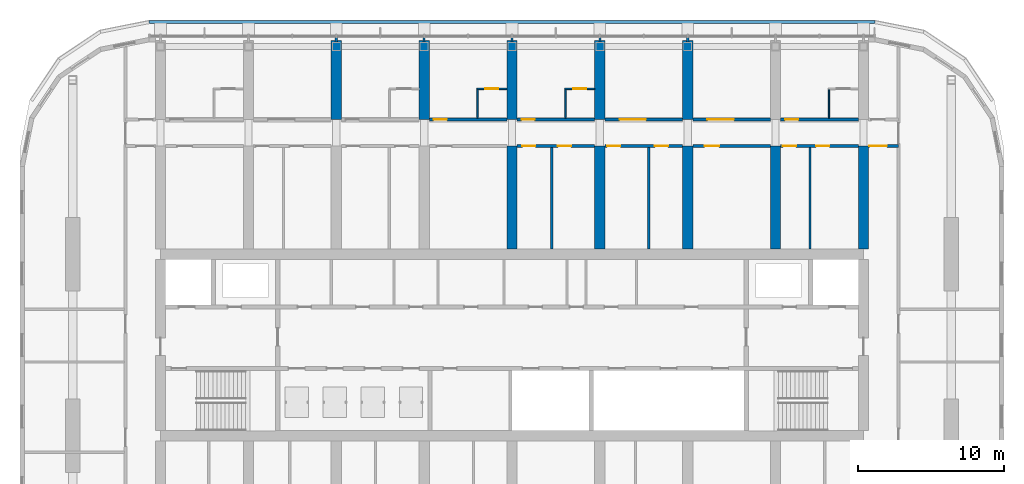
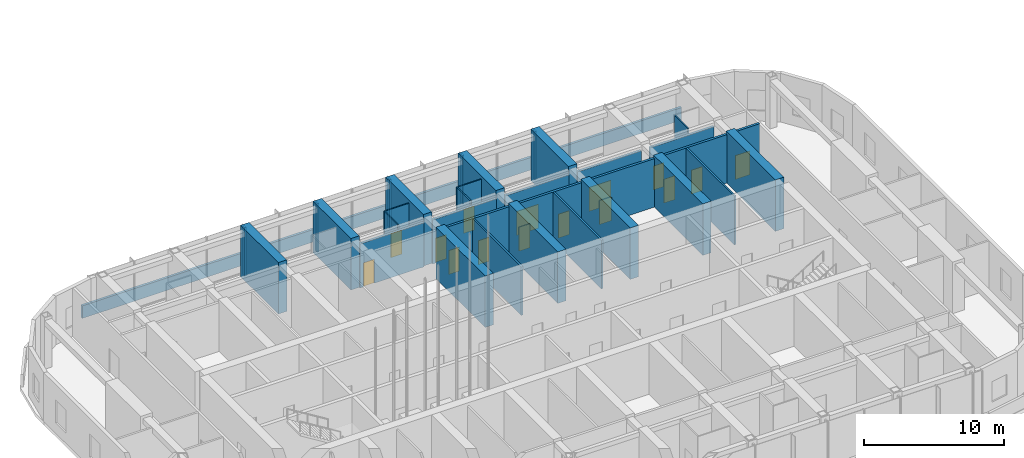
# One storey, part 20 of 35: 34 walls, 15 doors, 15 openings.
"""IFC4 building model written with IfcOpenShell, lengths in metres."""

from ifc_helpers import new_model, si_unit, direction, frame, frame_2d, origin, place, context, subcontext, project, spatial, polyline, rectangle, outline, extrude, material, layer, layer_set, type_object, element, fill, save


model = new_model("IFC4")

# Units and contexts
model_context = context("Model", 3, precision=1e-05, world=origin(), true_north=direction((0.0, 1.0)))
body_context = subcontext(model_context, "Body", "Model", "MODEL_VIEW")
ifc_project = project(units=[si_unit("LENGTHUNIT", "METRE"), si_unit("AREAUNIT", "SQUARE_METRE"), si_unit("VOLUMEUNIT", "CUBIC_METRE"), si_unit("PLANEANGLEUNIT", "RADIAN"), si_unit("MASSUNIT", "GRAM", prefix="KILO")], contexts=[model_context])

# Site, building, storey
site_placement = place(None, origin())
site = spatial("IfcSite", under=ifc_project, at=site_placement, CompositionType="ELEMENT")
building_placement = place(site_placement, origin())
building = spatial("IfcBuilding", under=site, at=building_placement, Name="Orbita Commons", CompositionType="ELEMENT")
storey_placement = place(building_placement, frame((0.0, 0.0, 208.300048828125)))
storey = spatial("IfcBuildingStorey", under=building, at=storey_placement, Name="L51", CompositionType="ELEMENT", Elevation=208.300048828125)

# Wall, opening, door
ifc_material_1 = material(Name="Concrete blockwork", Category="masonry")
ifc_layer_1 = layer(ifc_material_1, 0.199951171875)
ifc_layer_set_1 = layer_set([ifc_layer_1], Name="Concrete blockwork")
wall_type_1 = type_object("IfcWallType", Name="Corridor wall 200 blockwork", PredefinedType="SOLIDWALL", material=ifc_layer_set_1)
wall_1_placement = place(storey_placement, frame((36.35009765625, 47.39990234375, 0.0), z_axis=(0.0, 0.0, 1.0), x_axis=(1.0, 0.0, 0.0)))
wall_1 = element("IfcWall", 1, at=wall_1_placement, inside=storey, type_object=wall_type_1, Name="Corridor wall 200 blockwork L51", PredefinedType="SOLIDWALL", context=body_context, shape_type="SweptSolid", body=[
    extrude(outline(polyline([(0.0, 0.0), (5.2998046875, 0.0), (5.300048828125, 3.849853515625), (0.0, 3.849853515625), (0.0, 0.0)])), frame((0.0, 0.10009765625, 0.0), z_axis=(0.0, -1.0, 0.0), x_axis=(1.0, 0.0, 0.0)), (0.0, 0.0, 1.0), 0.199951171875),
])
opening_1_placement = place(wall_1_placement, frame((0.300048828125, 0.0, 0.0)))
opening_1 = element("IfcOpeningElement", 2, at=opening_1_placement, cuts=wall_1, Name="Opening D11", PredefinedType="OPENING", context=body_context, shape_type="SweptSolid", body=[
    extrude(rectangle(XDim=0.89990234375, YDim=2.10009765625, at=frame_2d((0.449951171875, 1.050048828125))), frame((0.0, 0.10986328125, 0.0), z_axis=(0.0, -1.0, 0.0), x_axis=(1.0, 0.0, 0.0)), (0.0, 0.0, 1.0), 0.219970703125),
])
ifc_material_2 = material(Name="Steel-faced fire door leaf", Category="steel")
door_type_1 = type_object("IfcDoorType", Name="Corridor door 20 min 900x2100", OperationType="SINGLE_SWING_LEFT", PredefinedType="DOOR", material=ifc_material_2)
door_1_placement = place(opening_1_placement, origin())
door_1 = element("IfcDoor", 3, at=door_1_placement, inside=storey, type_object=door_type_1, Name="Guest studio with kitchenette L51-NF4 door", OperationType="SINGLE_SWING_LEFT", OverallHeight=2.10009765625, OverallWidth=0.89990234375, PredefinedType="DOOR", context=body_context, shape_type="SweptSolid", body=[
    extrude(rectangle(XDim=0.89990234375, YDim=2.10009765625, at=frame_2d((0.449951171875, 1.050048828125))), frame((0.0, 0.02490234375, 0.0), z_axis=(0.0, -1.0, 0.0), x_axis=(1.0, 0.0, 0.0)), (0.0, 0.0, 1.0), 0.050048828125),
])
fill(opening_1, door_1)

wall_2_placement = place(storey_placement, frame((42.35009765625, 47.39990234375, 0.0), z_axis=(0.0, 0.0, 1.0), x_axis=(1.0, 0.0, 0.0)))
wall_2 = element("IfcWall", 4, at=wall_2_placement, inside=storey, type_object=wall_type_1, Name="Corridor wall 200 blockwork L51", PredefinedType="SOLIDWALL", context=body_context, shape_type="SweptSolid", body=[
    extrude(outline(polyline([(0.0, 0.0), (5.2998046875, 0.0), (5.300048828125, 3.849853515625), (0.0, 3.849853515625), (0.0, 0.0)])), frame((0.0, 0.10009765625, 0.0), z_axis=(0.0, -1.0, 0.0), x_axis=(1.0, 0.0, 0.0)), (0.0, 0.0, 1.0), 0.199951171875),
])
opening_2_placement = place(wall_2_placement, frame((0.300048828125, 0.0, 0.0)))
opening_2 = element("IfcOpeningElement", 5, at=opening_2_placement, cuts=wall_2, Name="Opening D11", PredefinedType="OPENING", context=body_context, shape_type="SweptSolid", body=[
    extrude(rectangle(XDim=0.89990234375, YDim=2.10009765625, at=frame_2d((0.449951171875, 1.050048828125))), frame((0.0, 0.10986328125, 0.0), z_axis=(0.0, -1.0, 0.0), x_axis=(1.0, 0.0, 0.0)), (0.0, 0.0, 1.0), 0.219970703125),
])
door_2_placement = place(opening_2_placement, origin())
door_2 = element("IfcDoor", 6, at=door_2_placement, inside=storey, type_object=door_type_1, Name="Guest studio with kitchenette L51-NF5 door", OperationType="SINGLE_SWING_LEFT", OverallHeight=2.10009765625, OverallWidth=0.89990234375, PredefinedType="DOOR", context=body_context, shape_type="SweptSolid", body=[
    extrude(rectangle(XDim=0.89990234375, YDim=2.10009765625, at=frame_2d((0.449951171875, 1.050048828125))), frame((0.0, 0.02490234375, 0.0), z_axis=(0.0, -1.0, 0.0), x_axis=(1.0, 0.0, 0.0)), (0.0, 0.0, 1.0), 0.050048828125),
])
fill(opening_2, door_2)

wall_3_placement = place(storey_placement, frame((48.35009765625, 47.39990234375, 0.0), z_axis=(0.0, 0.0, 1.0), x_axis=(1.0, 0.0, 0.0)))
wall_3 = element("IfcWall", 7, at=wall_3_placement, inside=storey, type_object=wall_type_1, Name="Corridor wall 200 blockwork L51", PredefinedType="SOLIDWALL", context=body_context, shape_type="SweptSolid", body=[
    extrude(outline(polyline([(0.0, 0.0), (5.2998046875, 0.0), (5.300048828125, 3.849853515625), (0.0, 3.849853515625), (0.0, 0.0)])), frame((0.0, 0.10009765625, 0.0), z_axis=(0.0, -1.0, 0.0), x_axis=(1.0, 0.0, 0.0)), (0.0, 0.0, 1.0), 0.199951171875),
])
opening_3_placement = place(wall_3_placement, frame((1.0, 0.0, 0.0)))
opening_3 = element("IfcOpeningElement", 8, at=opening_3_placement, cuts=wall_3, Name="Opening D07", PredefinedType="OPENING", context=body_context, shape_type="SweptSolid", body=[
    extrude(rectangle(XDim=1.800048828125, YDim=2.10009765625, at=frame_2d((0.89990234375, 1.050048828125))), frame((0.0, 0.10986328125, 0.0), z_axis=(0.0, -1.0, 0.0), x_axis=(1.0, 0.0, 0.0)), (0.0, 0.0, 1.0), 0.219970703125),
])
ifc_material_3 = material(Name="Steel-faced fire door leaf", Category="steel")
door_type_2 = type_object("IfcDoorType", Name="Double corridor door 20 min 1800x2100", OperationType="DOUBLE_DOOR_SINGLE_SWING", PredefinedType="DOOR", material=ifc_material_3)
door_3_placement = place(opening_3_placement, origin())
door_3 = element("IfcDoor", 9, at=door_3_placement, inside=storey, type_object=door_type_2, Name="Guest reception office L51-NF6 doors", OperationType="DOUBLE_DOOR_SINGLE_SWING", OverallHeight=2.10009765625, OverallWidth=1.800048828125, PredefinedType="DOOR", context=body_context, shape_type="SweptSolid", body=[
    extrude(rectangle(XDim=1.800048828125, YDim=2.10009765625, at=frame_2d((0.89990234375, 1.050048828125))), frame((0.0, 0.02490234375, 0.0), z_axis=(0.0, -1.0, 0.0), x_axis=(1.0, 0.0, 0.0)), (0.0, 0.0, 1.0), 0.050048828125),
])
fill(opening_3, door_3)

wall_4_placement = place(storey_placement, frame((54.35009765625, 47.39990234375, 0.0), z_axis=(0.0, 0.0, 1.0), x_axis=(1.0, 0.0, 0.0)))
wall_4 = element("IfcWall", 10, at=wall_4_placement, inside=storey, type_object=wall_type_1, Name="Corridor wall 200 blockwork L51", PredefinedType="SOLIDWALL", context=body_context, shape_type="SweptSolid", body=[
    extrude(outline(polyline([(0.0, 0.0), (5.2998046875, 0.0), (5.300048828125, 3.849853515625), (0.0, 3.849853515625), (0.0, 0.0)])), frame((0.0, 0.10009765625, 0.0), z_axis=(0.0, -1.0, 0.0), x_axis=(1.0, 0.0, 0.0)), (0.0, 0.0, 1.0), 0.199951171875),
])
opening_4_placement = place(wall_4_placement, frame((1.0, 0.0, 0.0)))
opening_4 = element("IfcOpeningElement", 11, at=opening_4_placement, cuts=wall_4, Name="Opening D07", PredefinedType="OPENING", context=body_context, shape_type="SweptSolid", body=[
    extrude(rectangle(XDim=1.800048828125, YDim=2.10009765625, at=frame_2d((0.89990234375, 1.050048828125))), frame((0.0, 0.10986328125, 0.0), z_axis=(0.0, -1.0, 0.0), x_axis=(1.0, 0.0, 0.0)), (0.0, 0.0, 1.0), 0.219970703125),
])
door_4_placement = place(opening_4_placement, origin())
door_4 = element("IfcDoor", 12, at=door_4_placement, inside=storey, type_object=door_type_2, Name="Fitness studio L51-NF7 doors", OperationType="DOUBLE_DOOR_SINGLE_SWING", OverallHeight=2.10009765625, OverallWidth=1.800048828125, PredefinedType="DOOR", context=body_context, shape_type="SweptSolid", body=[
    extrude(rectangle(XDim=1.800048828125, YDim=2.10009765625, at=frame_2d((0.89990234375, 1.050048828125))), frame((0.0, 0.02490234375, 0.0), z_axis=(0.0, -1.0, 0.0), x_axis=(1.0, 0.0, 0.0)), (0.0, 0.0, 1.0), 0.050048828125),
])
fill(opening_4, door_4)

wall_5_placement = place(storey_placement, frame((60.35009765625, 47.39990234375, 0.0), z_axis=(0.0, 0.0, 1.0), x_axis=(1.0, 0.0, 0.0)))
wall_5 = element("IfcWall", 13, at=wall_5_placement, inside=storey, type_object=wall_type_1, Name="Corridor wall 200 blockwork L51", PredefinedType="SOLIDWALL", context=body_context, shape_type="SweptSolid", body=[
    extrude(outline(polyline([(0.0, 0.0), (5.2998046875, 0.0), (5.300048828125, 3.849853515625), (0.0, 3.849853515625), (0.0, 0.0)])), frame((0.0, 0.10009765625, 0.0), z_axis=(0.0, -1.0, 0.0), x_axis=(1.0, 0.0, 0.0)), (0.0, 0.0, 1.0), 0.199951171875),
])
opening_5_placement = place(wall_5_placement, frame((0.300048828125, 0.0, 0.0)))
opening_5 = element("IfcOpeningElement", 14, at=opening_5_placement, cuts=wall_5, Name="Opening D11", PredefinedType="OPENING", context=body_context, shape_type="SweptSolid", body=[
    extrude(rectangle(XDim=0.89990234375, YDim=2.10009765625, at=frame_2d((0.449951171875, 1.050048828125))), frame((0.0, 0.10986328125, 0.0), z_axis=(0.0, -1.0, 0.0), x_axis=(1.0, 0.0, 0.0)), (0.0, 0.0, 1.0), 0.219970703125),
])
door_5_placement = place(opening_5_placement, origin())
door_5 = element("IfcDoor", 15, at=door_5_placement, inside=storey, type_object=door_type_1, Name="Guest studio with kitchenette L51-NF8 door", OperationType="SINGLE_SWING_LEFT", OverallHeight=2.10009765625, OverallWidth=0.89990234375, PredefinedType="DOOR", context=body_context, shape_type="SweptSolid", body=[
    extrude(rectangle(XDim=0.89990234375, YDim=2.10009765625, at=frame_2d((0.449951171875, 1.050048828125))), frame((0.0, 0.02490234375, 0.0), z_axis=(0.0, -1.0, 0.0), x_axis=(1.0, 0.0, 0.0)), (0.0, 0.0, 1.0), 0.050048828125),
])
fill(opening_5, door_5)

# Wall, openings, doors
ifc_material_4 = material(Name="Hollow concrete block 200", Category="concrete")
ifc_layer_2 = layer(ifc_material_4, 0.199951171875)
ifc_layer_set_2 = layer_set([ifc_layer_2], Name="Hollow concrete block 200")
wall_type_2 = type_object("IfcWallType", Name="Corridor wall 200 hollow concrete block", PredefinedType="SOLIDWALL", material=ifc_layer_set_2)
wall_6_placement = place(storey_placement, frame((42.35009765625, 45.60009765625, 0.0), z_axis=(0.0, 0.0, 1.0), x_axis=(1.0, 0.0, 0.0)))
wall_6 = element("IfcWall", 16, at=wall_6_placement, inside=storey, type_object=wall_type_2, Name="Corridor wall 200 hollow concrete block L51", PredefinedType="SOLIDWALL", context=body_context, shape_type="SweptSolid", body=[
    extrude(rectangle(XDim=5.2998046875, YDim=0.199951171875, at=frame_2d((2.64990234375, 0.0))), origin(), (0.0, 0.0, 1.0), 4.25),
])
opening_6_placement = place(wall_6_placement, frame((0.35009765625, 0.0, 0.0)))
opening_6 = element("IfcOpeningElement", 17, at=opening_6_placement, cuts=wall_6, Name="Opening D11", PredefinedType="OPENING", context=body_context, shape_type="SweptSolid", body=[
    extrude(rectangle(XDim=0.89990234375, YDim=2.10009765625, at=frame_2d((0.449951171875, 1.050048828125))), frame((0.0, 0.10986328125, 0.0), z_axis=(0.0, -1.0, 0.0), x_axis=(1.0, 0.0, 0.0)), (0.0, 0.0, 1.0), 0.219970703125),
])
opening_7_placement = place(wall_6_placement, frame((2.784912109375, 0.0, 0.0)))
opening_7 = element("IfcOpeningElement", 18, at=opening_7_placement, cuts=wall_6, Name="Opening D11", PredefinedType="OPENING", context=body_context, shape_type="SweptSolid", body=[
    extrude(rectangle(XDim=0.89990234375, YDim=2.10009765625, at=frame_2d((0.449951171875, 1.050048828125))), frame((0.0, 0.10986328125, 0.0), z_axis=(0.0, -1.0, 0.0), x_axis=(1.0, 0.0, 0.0)), (0.0, 0.0, 1.0), 0.219970703125),
])
door_6_placement = place(opening_6_placement, origin())
door_6 = element("IfcDoor", 19, at=door_6_placement, inside=storey, type_object=door_type_1, Name="Water heater cupboard L51-BDN42n door", OperationType="SINGLE_SWING_LEFT", OverallHeight=2.10009765625, OverallWidth=0.89990234375, PredefinedType="DOOR", context=body_context, shape_type="SweptSolid", body=[
    extrude(rectangle(XDim=0.89990234375, YDim=2.10009765625, at=frame_2d((0.449951171875, 1.050048828125))), frame((0.0, 0.02490234375, 0.0), z_axis=(0.0, -1.0, 0.0), x_axis=(1.0, 0.0, 0.0)), (0.0, 0.0, 1.0), 0.050048828125),
])
fill(opening_6, door_6)
door_7_placement = place(opening_7_placement, origin())
door_7 = element("IfcDoor", 20, at=door_7_placement, inside=storey, type_object=door_type_1, Name="Telecoms room L51-BDN42 door", OperationType="SINGLE_SWING_LEFT", OverallHeight=2.10009765625, OverallWidth=0.89990234375, PredefinedType="DOOR", context=body_context, shape_type="SweptSolid", body=[
    extrude(rectangle(XDim=0.89990234375, YDim=2.10009765625, at=frame_2d((0.449951171875, 1.050048828125))), frame((0.0, 0.02490234375, 0.0), z_axis=(0.0, -1.0, 0.0), x_axis=(1.0, 0.0, 0.0)), (0.0, 0.0, 1.0), 0.050048828125),
])
fill(opening_7, door_7)

wall_7_placement = place(storey_placement, frame((48.35009765625, 45.60009765625, 0.0), z_axis=(0.0, 0.0, 1.0), x_axis=(1.0, 0.0, 0.0)))
wall_7 = element("IfcWall", 21, at=wall_7_placement, inside=storey, type_object=wall_type_2, Name="Corridor wall 200 hollow concrete block L51", PredefinedType="SOLIDWALL", context=body_context, shape_type="SweptSolid", body=[
    extrude(rectangle(XDim=5.2998046875, YDim=0.199951171875, at=frame_2d((2.64990234375, 0.0))), origin(), (0.0, 0.0, 1.0), 4.25),
])
opening_8_placement = place(wall_7_placement, frame((0.14990234375, 0.0, 0.0)))
opening_8 = element("IfcOpeningElement", 22, at=opening_8_placement, cuts=wall_7, Name="Opening D11", PredefinedType="OPENING", context=body_context, shape_type="SweptSolid", body=[
    extrude(rectangle(XDim=0.89990234375, YDim=2.10009765625, at=frame_2d((0.449951171875, 1.050048828125))), frame((0.0, 0.10986328125, 0.0), z_axis=(0.0, -1.0, 0.0), x_axis=(1.0, 0.0, 0.0)), (0.0, 0.0, 1.0), 0.219970703125),
])
opening_9_placement = place(wall_7_placement, frame((3.4150390625, 0.0, 0.0)))
opening_9 = element("IfcOpeningElement", 23, at=opening_9_placement, cuts=wall_7, Name="Opening D11", PredefinedType="OPENING", context=body_context, shape_type="SweptSolid", body=[
    extrude(rectangle(XDim=0.89990234375, YDim=2.10009765625, at=frame_2d((0.449951171875, 1.050048828125))), frame((0.0, 0.10986328125, 0.0), z_axis=(0.0, -1.0, 0.0), x_axis=(1.0, 0.0, 0.0)), (0.0, 0.0, 1.0), 0.219970703125),
])
door_8_placement = place(opening_8_placement, origin())
door_8 = element("IfcDoor", 24, at=door_8_placement, inside=storey, type_object=door_type_1, Name="Concierge store L51-BDN48 door", OperationType="SINGLE_SWING_LEFT", OverallHeight=2.10009765625, OverallWidth=0.89990234375, PredefinedType="DOOR", context=body_context, shape_type="SweptSolid", body=[
    extrude(rectangle(XDim=0.89990234375, YDim=2.10009765625, at=frame_2d((0.449951171875, 1.050048828125))), frame((0.0, 0.02490234375, 0.0), z_axis=(0.0, -1.0, 0.0), x_axis=(1.0, 0.0, 0.0)), (0.0, 0.0, 1.0), 0.050048828125),
])
fill(opening_8, door_8)
door_9_placement = place(opening_9_placement, origin())
door_9 = element("IfcDoor", 25, at=door_9_placement, inside=storey, type_object=door_type_1, Name="Battery and UPS room L51-BDN48n door", OperationType="SINGLE_SWING_LEFT", OverallHeight=2.10009765625, OverallWidth=0.89990234375, PredefinedType="DOOR", context=body_context, shape_type="SweptSolid", body=[
    extrude(rectangle(XDim=0.89990234375, YDim=2.10009765625, at=frame_2d((0.449951171875, 1.050048828125))), frame((0.0, 0.02490234375, 0.0), z_axis=(0.0, -1.0, 0.0), x_axis=(1.0, 0.0, 0.0)), (0.0, 0.0, 1.0), 0.050048828125),
])
fill(opening_9, door_9)

# Wall, opening, door
wall_8_placement = place(storey_placement, frame((54.35009765625, 45.60009765625, 0.0), z_axis=(0.0, 0.0, 1.0), x_axis=(1.0, 0.0, 0.0)))
wall_8 = element("IfcWall", 26, at=wall_8_placement, inside=storey, type_object=wall_type_2, Name="Corridor wall 200 hollow concrete block L51", PredefinedType="SOLIDWALL", context=body_context, shape_type="SweptSolid", body=[
    extrude(rectangle(XDim=5.2998046875, YDim=0.199951171875, at=frame_2d((2.64990234375, 0.0))), origin(), (0.0, 0.0, 1.0), 4.25),
])
opening_10_placement = place(wall_8_placement, frame((0.800048828125, 0.0, 0.0)))
opening_10 = element("IfcOpeningElement", 27, at=opening_10_placement, cuts=wall_8, Name="Opening D06", PredefinedType="OPENING", context=body_context, shape_type="SweptSolid", body=[
    extrude(rectangle(XDim=1.0, YDim=2.10009765625, at=frame_2d((0.5, 1.050048828125))), frame((0.0, 0.10986328125, 0.0), z_axis=(0.0, -1.0, 0.0), x_axis=(1.0, 0.0, 0.0)), (0.0, 0.0, 1.0), 0.219970703125),
])
ifc_material_5 = material(Name="Steel-faced fire door leaf", Category="steel")
door_type_3 = type_object("IfcDoorType", Name="Corridor door 20 min 1000x2100", OperationType="SINGLE_SWING_LEFT", PredefinedType="DOOR", material=ifc_material_5)
door_10_placement = place(opening_10_placement, origin())
door_10 = element("IfcDoor", 28, at=door_10_placement, inside=storey, type_object=door_type_3, Name="Store L51-BDN54 door", OperationType="SINGLE_SWING_LEFT", OverallHeight=2.10009765625, OverallWidth=1.0, PredefinedType="DOOR", context=body_context, shape_type="SweptSolid", body=[
    extrude(rectangle(XDim=1.0, YDim=2.10009765625, at=frame_2d((0.5, 1.050048828125))), frame((0.0, 0.02490234375, 0.0), z_axis=(0.0, -1.0, 0.0), x_axis=(1.0, 0.0, 0.0)), (0.0, 0.0, 1.0), 0.050048828125),
])
fill(opening_10, door_10)

# Wall, openings, doors
wall_9_placement = place(storey_placement, frame((60.35009765625, 45.60009765625, 0.0), z_axis=(0.0, 0.0, 1.0), x_axis=(1.0, 0.0, 0.0)))
wall_9 = element("IfcWall", 29, at=wall_9_placement, inside=storey, type_object=wall_type_2, Name="Corridor wall 200 hollow concrete block L51", PredefinedType="SOLIDWALL", context=body_context, shape_type="SweptSolid", body=[
    extrude(rectangle(XDim=5.2998046875, YDim=0.199951171875, at=frame_2d((2.64990234375, 0.0))), origin(), (0.0, 0.0, 1.0), 4.25),
])
opening_11_placement = place(wall_9_placement, frame((0.14990234375, 0.0, 0.0)))
opening_11 = element("IfcOpeningElement", 30, at=opening_11_placement, cuts=wall_9, Name="Opening D11", PredefinedType="OPENING", context=body_context, shape_type="SweptSolid", body=[
    extrude(rectangle(XDim=0.89990234375, YDim=2.10009765625, at=frame_2d((0.449951171875, 1.050048828125))), frame((0.0, 0.10986328125, 0.0), z_axis=(0.0, -1.0, 0.0), x_axis=(1.0, 0.0, 0.0)), (0.0, 0.0, 1.0), 0.219970703125),
])
opening_12_placement = place(wall_9_placement, frame((2.419921875, 0.0, 0.0)))
opening_12 = element("IfcOpeningElement", 31, at=opening_12_placement, cuts=wall_9, Name="Opening D11", PredefinedType="OPENING", context=body_context, shape_type="SweptSolid", body=[
    extrude(rectangle(XDim=0.89990234375, YDim=2.10009765625, at=frame_2d((0.449951171875, 1.050048828125))), frame((0.0, 0.10986328125, 0.0), z_axis=(0.0, -1.0, 0.0), x_axis=(1.0, 0.0, 0.0)), (0.0, 0.0, 1.0), 0.219970703125),
])
door_11_placement = place(opening_11_placement, origin())
door_11 = element("IfcDoor", 32, at=door_11_placement, inside=storey, type_object=door_type_1, Name="Sprinkler valve room L51-BDN60n door", OperationType="SINGLE_SWING_LEFT", OverallHeight=2.10009765625, OverallWidth=0.89990234375, PredefinedType="DOOR", context=body_context, shape_type="SweptSolid", body=[
    extrude(rectangle(XDim=0.89990234375, YDim=2.10009765625, at=frame_2d((0.449951171875, 1.050048828125))), frame((0.0, 0.02490234375, 0.0), z_axis=(0.0, -1.0, 0.0), x_axis=(1.0, 0.0, 0.0)), (0.0, 0.0, 1.0), 0.050048828125),
])
fill(opening_11, door_11)
door_12_placement = place(opening_12_placement, origin())
door_12 = element("IfcDoor", 33, at=door_12_placement, inside=storey, type_object=door_type_1, Name="Equipment store L51-BDN60 door", OperationType="SINGLE_SWING_LEFT", OverallHeight=2.10009765625, OverallWidth=0.89990234375, PredefinedType="DOOR", context=body_context, shape_type="SweptSolid", body=[
    extrude(rectangle(XDim=0.89990234375, YDim=2.10009765625, at=frame_2d((0.449951171875, 1.050048828125))), frame((0.0, 0.02490234375, 0.0), z_axis=(0.0, -1.0, 0.0), x_axis=(1.0, 0.0, 0.0)), (0.0, 0.0, 1.0), 0.050048828125),
])
fill(opening_12, door_12)

# Wall, opening, door
wall_10_placement = place(storey_placement, frame((66.35009765625, 45.60009765625, 0.0), z_axis=(0.0, 0.0, 1.0), x_axis=(1.0, 0.0, 0.0)))
wall_10 = element("IfcWall", 34, at=wall_10_placement, inside=storey, type_object=wall_type_2, Name="Corridor wall 200 hollow concrete block L51", PredefinedType="SOLIDWALL", context=body_context, shape_type="SweptSolid", body=[
    extrude(rectangle(XDim=2.0498046875, YDim=0.199951171875, at=frame_2d((1.02490234375, 0.0))), origin(), (0.0, 0.0, 1.0), 4.25),
])
opening_13_placement = place(wall_10_placement, frame((0.050048828125, 0.0, 0.0)))
opening_13 = element("IfcOpeningElement", 35, at=opening_13_placement, cuts=wall_10, Name="Opening D12", PredefinedType="OPENING", context=body_context, shape_type="SweptSolid", body=[
    extrude(rectangle(XDim=1.199951171875, YDim=2.10009765625, at=frame_2d((0.60009765625, 1.050048828125))), frame((0.0, 0.10986328125, 0.0), z_axis=(0.0, -1.0, 0.0), x_axis=(1.0, 0.0, 0.0)), (0.0, 0.0, 1.0), 0.219970703125),
])
ifc_material_6 = material(Name="Steel-faced fire door leaf", Category="steel")
door_type_4 = type_object("IfcDoorType", Name="Double corridor door 20 min 1200x2100", OperationType="DOUBLE_DOOR_SINGLE_SWING", PredefinedType="DOOR", material=ifc_material_6)
door_13_placement = place(opening_13_placement, origin())
door_13 = element("IfcDoor", 36, at=door_13_placement, inside=storey, type_object=door_type_4, Name="Cross corridor doors", OperationType="DOUBLE_DOOR_SINGLE_SWING", OverallHeight=2.10009765625, OverallWidth=1.199951171875, PredefinedType="DOOR", context=body_context, shape_type="SweptSolid", body=[
    extrude(rectangle(XDim=1.199951171875, YDim=2.10009765625, at=frame_2d((0.60009765625, 1.050048828125))), frame((0.0, 0.02490234375, 0.0), z_axis=(0.0, -1.0, 0.0), x_axis=(1.0, 0.0, 0.0)), (0.0, 0.0, 1.0), 0.050048828125),
])
fill(opening_13, door_13)

# Walls
ifc_material_7 = material(Name="Concrete C50/60", Category="concrete")
ifc_layer_3 = layer(ifc_material_7, 0.699951171875)
ifc_layer_set_3 = layer_set([ifc_layer_3], Name="Concrete C50/60")
wall_type_3 = type_object("IfcWallType", Name="Cross wall 700 C50/60", PredefinedType="SHEAR", material=ifc_layer_set_3)
for number, where, z_axis, x_axis, name in (
    (37, (30.0, 47.39990234375, 0.0), (0.0, 0.0, 1.0), (0.0, 1.0, 0.0), "Cross wall 6 north outer L51"),
    (38, (36.0, 47.39990234375, 0.0), (0.0, 0.0, 1.0), (0.0, 1.0, 0.0), "Cross wall 7 north outer L51"),
    (39, (42.0, 47.39990234375, 0.0), (0.0, 0.0, 1.0), (0.0, 1.0, 0.0), "Cross wall 8 north outer L51"),
):
    element("IfcWall", number, at=place(storey_placement, frame(where, z_axis=z_axis, x_axis=x_axis)), inside=storey, type_object=wall_type_3, Name=name, PredefinedType="SHEAR", context=body_context, shape_type="SweptSolid", body=[
        extrude(rectangle(XDim=5.400146484375, YDim=0.699951171875, at=frame_2d((2.7001953125, 0.0))), origin(), (0.0, 0.0, 1.0), 4.5),
    ])
wall_11_placement = place(storey_placement, frame((42.0, 38.550048828125, 0.0), z_axis=(0.0, 0.0, 1.0), x_axis=(0.0, 1.0, 0.0)))
element("IfcWall", 40, at=wall_11_placement, inside=storey, type_object=wall_type_3, Name="Cross wall 8 north inner L51", PredefinedType="SHEAR", context=body_context, shape_type="SweptSolid", body=[
    extrude(rectangle(XDim=7.050048828125, YDim=0.699951171875, at=frame_2d((3.52490234375, 0.0))), origin(), (0.0, 0.0, 1.0), 4.5),
])
wall_12_placement = place(storey_placement, frame((48.0, 47.39990234375, 0.0), z_axis=(0.0, 0.0, 1.0), x_axis=(0.0, 1.0, 0.0)))
element("IfcWall", 41, at=wall_12_placement, inside=storey, type_object=wall_type_3, Name="Cross wall 9 north outer L51", PredefinedType="SHEAR", context=body_context, shape_type="SweptSolid", body=[
    extrude(rectangle(XDim=5.400146484375, YDim=0.699951171875, at=frame_2d((2.7001953125, 0.0))), origin(), (0.0, 0.0, 1.0), 4.5),
])
wall_13_placement = place(storey_placement, frame((48.0, 38.550048828125, 0.0), z_axis=(0.0, 0.0, 1.0), x_axis=(0.0, 1.0, 0.0)))
element("IfcWall", 42, at=wall_13_placement, inside=storey, type_object=wall_type_3, Name="Cross wall 9 north inner L51", PredefinedType="SHEAR", context=body_context, shape_type="SweptSolid", body=[
    extrude(rectangle(XDim=7.050048828125, YDim=0.699951171875, at=frame_2d((3.52490234375, 0.0))), origin(), (0.0, 0.0, 1.0), 4.5),
])
wall_14_placement = place(storey_placement, frame((54.0, 47.39990234375, 0.0), z_axis=(0.0, 0.0, 1.0), x_axis=(0.0, 1.0, 0.0)))
element("IfcWall", 43, at=wall_14_placement, inside=storey, type_object=wall_type_3, Name="Cross wall 10 north outer L51", PredefinedType="SHEAR", context=body_context, shape_type="SweptSolid", body=[
    extrude(rectangle(XDim=5.400146484375, YDim=0.699951171875, at=frame_2d((2.7001953125, 0.0))), origin(), (0.0, 0.0, 1.0), 4.5),
])
for number, where, z_axis, x_axis, name in (
    (44, (54.0, 38.550048828125, 0.0), (0.0, 0.0, 1.0), (0.0, 1.0, 0.0), "Cross wall 10 north inner L51"),
    (45, (60.0, 38.550048828125, 0.0), (0.0, 0.0, 1.0), (0.0, 1.0, 0.0), "Cross wall 11 north inner L51"),
    (46, (66.0, 38.550048828125, 0.0), (0.0, 0.0, 1.0), (0.0, 1.0, 0.0), "Cross wall 12 north inner L51"),
):
    element("IfcWall", number, at=place(storey_placement, frame(where, z_axis=z_axis, x_axis=x_axis)), inside=storey, type_object=wall_type_3, Name=name, PredefinedType="SHEAR", context=body_context, shape_type="SweptSolid", body=[
        extrude(rectangle(XDim=7.050048828125, YDim=0.699951171875, at=frame_2d((3.52490234375, 0.0))), origin(), (0.0, 0.0, 1.0), 4.5),
    ])

# Wall, opening, door
ifc_material_8 = material(Name="Moisture-resistant plasterboard on steel studs", Category="steel")
ifc_layer_4 = layer(ifc_material_8, 0.10009765625)
ifc_layer_set_4 = layer_set([ifc_layer_4], Name="Moisture-resistant plasterboard on steel studs")
wall_type_4 = type_object("IfcWallType", Name="En-suite partition 100", PredefinedType="PARTITIONING", material=ifc_layer_set_4)
wall_15_placement = place(storey_placement, frame((39.60009765625, 49.5, 0.0), z_axis=(0.0, 0.0, 1.0), x_axis=(1.0, 0.0, 0.0)))
wall_15 = element("IfcWall", 47, at=wall_15_placement, inside=storey, type_object=wall_type_4, Name="En-suite partition 100 L51", PredefinedType="PARTITIONING", context=body_context, shape_type="SweptSolid", body=[
    extrude(rectangle(XDim=2.0498046875, YDim=0.10009765625, at=frame_2d((1.02490234375, 0.0))), origin(), (0.0, 0.0, 1.0), 4.25),
])
opening_14_placement = place(wall_15_placement, frame((0.574951171875, 0.0, 0.0)))
opening_14 = element("IfcOpeningElement", 48, at=opening_14_placement, cuts=wall_15, Name="Opening D09", PredefinedType="OPENING", context=body_context, shape_type="SweptSolid", body=[
    extrude(rectangle(XDim=0.89990234375, YDim=2.10009765625, at=frame_2d((0.449951171875, 1.050048828125))), frame((0.0, 0.06005859375, 0.0), z_axis=(0.0, -1.0, 0.0), x_axis=(1.0, 0.0, 0.0)), (0.0, 0.0, 1.0), 0.1201171875),
])
ifc_material_9 = material(Name="Laminated timber door leaf", Category="wood")
door_type_5 = type_object("IfcDoorType", Name="En-suite door 900x2100", OperationType="SINGLE_SWING_RIGHT", PredefinedType="DOOR", material=ifc_material_9)
door_14_placement = place(opening_14_placement, origin())
door_14 = element("IfcDoor", 49, at=door_14_placement, inside=storey, type_object=door_type_5, Name="En-suite L51-NF4 door", OperationType="SINGLE_SWING_RIGHT", OverallHeight=2.10009765625, OverallWidth=0.89990234375, PredefinedType="DOOR", context=body_context, shape_type="SweptSolid", body=[
    extrude(rectangle(XDim=0.89990234375, YDim=2.10009765625, at=frame_2d((0.449951171875, 1.050048828125))), frame((0.0, 0.02490234375, 0.0), z_axis=(0.0, -1.0, 0.0), x_axis=(1.0, 0.0, 0.0)), (0.0, 0.0, 1.0), 0.050048828125),
])
fill(opening_14, door_14)

# Wall
wall_16_placement = place(storey_placement, frame((39.64990234375, 49.449951171875, 0.0), z_axis=(0.0, 0.0, 1.0), x_axis=(0.0, -1.0, 0.0)))
element("IfcWall", 50, at=wall_16_placement, inside=storey, type_object=wall_type_4, Name="En-suite partition 100 L51", PredefinedType="PARTITIONING", context=body_context, shape_type="SweptSolid", body=[
    extrude(outline(polyline([(0.0, 0.0), (1.949951171875, 0.0), (1.949951171875, 3.849853515625), (1.902099609375, 3.849853515625), (1.89990234375, 4.25), (0.0, 4.25), (0.0, 0.0)])), frame((0.0, 0.050048828125, 0.0), z_axis=(0.0, -1.0, 0.0), x_axis=(1.0, 0.0, 0.0)), (0.0, 0.0, 1.0), 0.10009765625),
])

# Wall, opening, door
wall_17_placement = place(storey_placement, frame((45.60009765625, 49.5, 0.0), z_axis=(0.0, 0.0, 1.0), x_axis=(1.0, 0.0, 0.0)))
wall_17 = element("IfcWall", 51, at=wall_17_placement, inside=storey, type_object=wall_type_4, Name="En-suite partition 100 L51", PredefinedType="PARTITIONING", context=body_context, shape_type="SweptSolid", body=[
    extrude(rectangle(XDim=2.0498046875, YDim=0.10009765625, at=frame_2d((1.02490234375, 0.0))), origin(), (0.0, 0.0, 1.0), 4.25),
])
opening_15_placement = place(wall_17_placement, frame((0.574951171875, 0.0, 0.0)))
opening_15 = element("IfcOpeningElement", 52, at=opening_15_placement, cuts=wall_17, Name="Opening D09", PredefinedType="OPENING", context=body_context, shape_type="SweptSolid", body=[
    extrude(rectangle(XDim=0.89990234375, YDim=2.10009765625, at=frame_2d((0.449951171875, 1.050048828125))), frame((0.0, 0.06005859375, 0.0), z_axis=(0.0, -1.0, 0.0), x_axis=(1.0, 0.0, 0.0)), (0.0, 0.0, 1.0), 0.1201171875),
])
door_15_placement = place(opening_15_placement, origin())
door_15 = element("IfcDoor", 53, at=door_15_placement, inside=storey, type_object=door_type_5, Name="En-suite L51-NF5 door", OperationType="SINGLE_SWING_RIGHT", OverallHeight=2.10009765625, OverallWidth=0.89990234375, PredefinedType="DOOR", context=body_context, shape_type="SweptSolid", body=[
    extrude(rectangle(XDim=0.89990234375, YDim=2.10009765625, at=frame_2d((0.449951171875, 1.050048828125))), frame((0.0, 0.02490234375, 0.0), z_axis=(0.0, -1.0, 0.0), x_axis=(1.0, 0.0, 0.0)), (0.0, 0.0, 1.0), 0.050048828125),
])
fill(opening_15, door_15)

# Walls
for number, where, z_axis, x_axis, name in (
    (54, (45.64990234375, 49.449951171875, 0.0), (0.0, 0.0, 1.0), (0.0, -1.0, 0.0), "En-suite partition 100 L51"),
    (55, (63.64990234375, 49.449951171875, 0.0), (0.0, 0.0, 1.0), (0.0, -1.0, 0.0), "En-suite partition 100 L51"),
):
    element("IfcWall", number, at=place(storey_placement, frame(where, z_axis=z_axis, x_axis=x_axis)), inside=storey, type_object=wall_type_4, Name=name, PredefinedType="PARTITIONING", context=body_context, shape_type="SweptSolid", body=[
        extrude(outline(polyline([(0.0, 0.0), (1.949951171875, 0.0), (1.949951171875, 3.849853515625), (1.902099609375, 3.849853515625), (1.89990234375, 4.25), (0.0, 4.25), (0.0, 0.0)])), frame((0.0, 0.050048828125, 0.0), z_axis=(0.0, -1.0, 0.0), x_axis=(1.0, 0.0, 0.0)), (0.0, 0.0, 1.0), 0.10009765625),
    ])
ifc_material_10 = material(Name="Gypsum plasterboard on steel studs", Category="steel")
ifc_layer_5 = layer(ifc_material_10, 0.14990234375)
ifc_layer_set_5 = layer_set([ifc_layer_5], Name="Gypsum plasterboard on steel studs")
wall_type_5 = type_object("IfcWallType", Name="Partition 150 plasterboard", PredefinedType="PARTITIONING", material=ifc_layer_set_5)
for number, where, z_axis, x_axis, name in (
    (56, (44.7099609375, 38.550048828125, 0.0), (0.0, 0.0, 1.0), (0.0, 1.0, 0.0), "Partition 150 plasterboard L51"),
    (57, (51.340087890625, 38.550048828125, 0.0), (0.0, 0.0, 1.0), (0.0, 1.0, 0.0), "Partition 150 plasterboard L51"),
    (58, (62.344970703125, 38.550048828125, 0.0), (0.0, 0.0, 1.0), (0.0, 1.0, 0.0), "Partition 150 plasterboard L51"),
):
    element("IfcWall", number, at=place(storey_placement, frame(where, z_axis=z_axis, x_axis=x_axis)), inside=storey, type_object=wall_type_5, Name=name, PredefinedType="PARTITIONING", context=body_context, shape_type="SweptSolid", body=[
        extrude(rectangle(XDim=6.949951171875, YDim=0.14990234375, at=frame_2d((3.47509765625, 0.0))), origin(), (0.0, 0.0, 1.0), 4.25),
    ])
for number, where, z_axis, x_axis, name in (
    (59, (30.0, 52.699951171875, 0.0), (0.0, 0.0, 1.0), (0.0, 1.0, 0.0), "Partition 150 plasterboard L51"),
    (60, (36.0, 52.699951171875, 0.0), (0.0, 0.0, 1.0), (0.0, 1.0, 0.0), "Partition 150 plasterboard L51"),
    (61, (42.0, 52.699951171875, 0.0), (0.0, 0.0, 1.0), (0.0, 1.0, 0.0), "Partition 150 plasterboard L51"),
    (62, (48.0, 52.699951171875, 0.0), (0.0, 0.0, 1.0), (0.0, 1.0, 0.0), "Partition 150 plasterboard L51"),
    (63, (54.0, 52.699951171875, 0.0), (0.0, 0.0, 1.0), (0.0, 1.0, 0.0), "Partition 150 plasterboard L51"),
):
    element("IfcWall", number, at=place(storey_placement, frame(where, z_axis=z_axis, x_axis=x_axis)), inside=storey, type_object=wall_type_5, Name=name, PredefinedType="PARTITIONING", context=body_context, shape_type="SweptSolid", body=[
        extrude(rectangle(XDim=0.2900390625, YDim=0.14990234375, at=frame_2d((0.14501953125, 0.0))), origin(), (0.0, 0.0, 1.0), 4.25),
    ])
ifc_material_11 = material(Name="Precast concrete C40/50, white board-marked finish", Category="concrete")
ifc_layer_6 = layer(ifc_material_11, 0.199951171875)
ifc_layer_set_6 = layer_set([ifc_layer_6], Name="Precast concrete C40/50, white board-marked finish")
wall_type_6 = type_object("IfcWallType", Name="Precast parapet 200", PredefinedType="PARAPET", material=ifc_layer_set_6)
wall_18_placement = place(storey_placement, frame((17.21484375, 54.050048828125, 0.0), z_axis=(0.0, 0.0, 1.0), x_axis=(1.0, 0.0, 0.0)))
element("IfcWall", 64, at=wall_18_placement, inside=storey, type_object=wall_type_6, Name="Parapet L51 2.1.4", PredefinedType="PARAPET", context=body_context, shape_type="SweptSolid", body=[
    extrude(rectangle(XDim=49.5703125, YDim=0.199951171875, at=frame_2d((24.78515625, 0.0))), origin(), (0.0, 0.0, 1.0), 1.099853515625),
])

save(model, "model.ifc")
